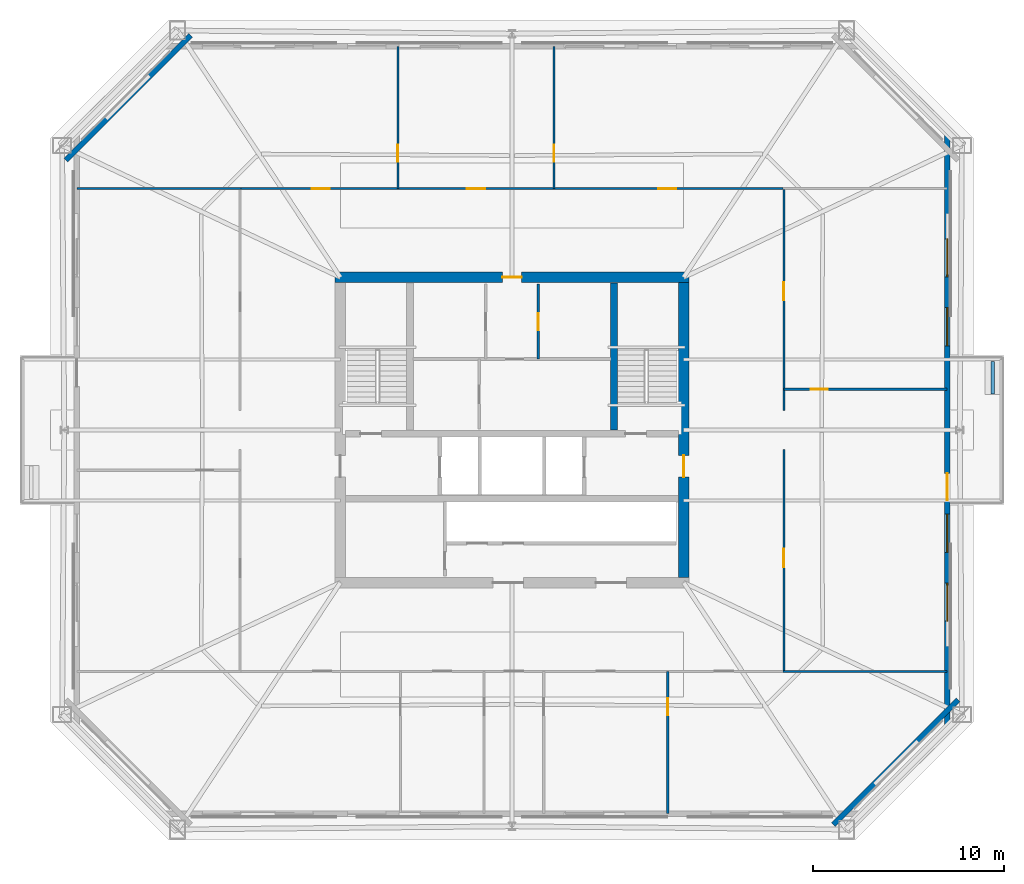
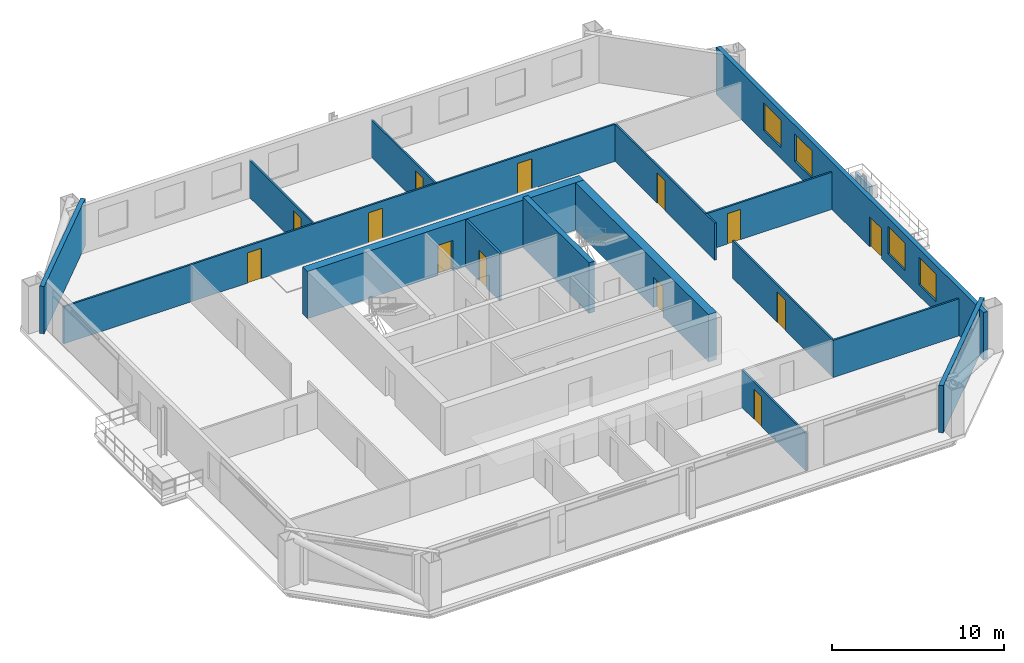
# One storey, part 4 of 8: 17 walls, 13 doors, 4 windows, 17 openings.
"""IFC4 building model written with IfcOpenShell, lengths in metres."""

from ifc_helpers import new_model, si_unit, direction, frame, frame_2d, origin, place, context, subcontext, project, spatial, rectangle, extrude, material, layer, layer_set, type_object, element, fill, save


model = new_model("IFC4")

# Units and contexts
model_context = context("Model", 3, precision=1e-05, world=origin(), true_north=direction((0.0, 1.0)))
body_context = subcontext(model_context, "Body", "Model", "MODEL_VIEW")
ifc_project = project(units=[si_unit("LENGTHUNIT", "METRE"), si_unit("AREAUNIT", "SQUARE_METRE"), si_unit("VOLUMEUNIT", "CUBIC_METRE"), si_unit("PLANEANGLEUNIT", "RADIAN"), si_unit("MASSUNIT", "GRAM", prefix="KILO")], contexts=[model_context])

# Site, building, storey
site_placement = place(None, origin())
site = spatial("IfcSite", under=ifc_project, at=site_placement, CompositionType="ELEMENT")
building_placement = place(site_placement, origin())
building = spatial("IfcBuilding", under=site, at=building_placement, Name="Caelvoria Tower", CompositionType="ELEMENT")
storey_placement = place(building_placement, frame((0.0, 0.0, 142.0)))
storey = spatial("IfcBuildingStorey", under=building, at=storey_placement, Name="L37", CompositionType="ELEMENT", Elevation=142.0)

# Walls
ifc_material_1 = material(Name="Bronze-Clad Concrete C40/50", Category="concrete")
ifc_layer_1 = layer(ifc_material_1, 0.179931640625, Name="Bronze-Clad Concrete C40/50")
ifc_layer_set_1 = layer_set([ifc_layer_1], Name="Architectural Planter Kerb Wall 180 - Bronze-Clad Concrete C40/50")
wall_type_1 = type_object("IfcWallType", Name="Architectural Planter Kerb Wall 180", PredefinedType="PARAPET", material=ifc_layer_set_1)
wall_1_placement = place(storey_placement, frame((71.199951171875, 33.89990234375, 0.0), z_axis=(0.0, 0.0, 1.0), x_axis=(0.0, 1.0, 0.0)))
element("IfcWall", 1, at=wall_1_placement, inside=storey, type_object=wall_type_1, Name="Tree Balcony Planter Kerb PLANTER TB-L37-E", PredefinedType="PARAPET", context=body_context, shape_type="SweptSolid", body=[
    extrude(rectangle(XDim=1.7001953125, YDim=0.179931640625, at=frame_2d((0.85009765625, 0.0))), origin(), (0.0, 0.0, 1.0), 0.8798828125),
])
ifc_material_2 = material(Name="Concrete C50/60", Category="concrete")
ifc_layer_2 = layer(ifc_material_2, 0.35009765625, Name="Concrete C50/60")
ifc_layer_set_2 = layer_set([ifc_layer_2], Name="Core Internal Shear Wall 350 - Concrete C50/60")
wall_type_2 = type_object("IfcWallType", Name="Core Internal Shear Wall 350", PredefinedType="SHEAR", material=ifc_layer_set_2)
wall_2_placement = place(storey_placement, frame((51.35009765625, 32.0, 0.0), z_axis=(0.0, 0.0, 1.0), x_axis=(0.0, 1.0, 0.0)))
element("IfcWall", 2, at=wall_2_placement, inside=storey, type_object=wall_type_2, Name="Interior Partition IW-L37-ST2W", PredefinedType="SHEAR", context=body_context, shape_type="SweptSolid", body=[
    extrude(rectangle(XDim=7.699951171875, YDim=0.35009765625, at=frame_2d((3.85009765625, 0.0))), origin(), (0.0, 0.0, 1.0), 3.60009765625),
])

# Wall, opening, door
ifc_material_3 = material(Name="Double Gypsum Board on Steel Stud", Category="steel")
ifc_layer_3 = layer(ifc_material_3, 0.14990234375, Name="Double Gypsum Board on Steel Stud")
ifc_layer_set_3 = layer_set([ifc_layer_3], Name="Core Service Acoustic Partition Wall 150 - Double Gypsum Board on Steel Stud")
wall_type_3 = type_object("IfcWallType", Name="Core Service Acoustic Partition Wall 150", PredefinedType="PARTITIONING", material=ifc_layer_set_3)
wall_3_placement = place(storey_placement, frame((47.3798828125, 35.719970703125, 0.0), z_axis=(0.0, 0.0, 1.0), x_axis=(0.0, 1.0, 0.0)))
wall_3 = element("IfcWall", 3, at=wall_3_placement, inside=storey, type_object=wall_type_3, Name="Interior Partition IW-L37-C0R", PredefinedType="PARTITIONING", context=body_context, shape_type="SweptSolid", body=[
    extrude(rectangle(XDim=3.929931640625, YDim=0.14990234375, at=frame_2d((1.96484375, 0.0))), origin(), (0.0, 0.0, 1.0), 3.360107421875),
])
opening_1_placement = place(wall_3_placement, frame((1.5, 0.0, 0.0)))
opening_1 = element("IfcOpeningElement", 4, at=opening_1_placement, cuts=wall_3, Name="Opening ID-06", PredefinedType="OPENING", context=body_context, shape_type="SweptSolid", body=[
    extrude(rectangle(XDim=0.89990234375, YDim=2.14990234375, at=frame_2d((0.449951171875, 1.074951171875))), frame((0.0, 0.0849609375, 0.0), z_axis=(0.0, -1.0, 0.0), x_axis=(1.0, 0.0, 0.0)), (0.0, 0.0, 1.0), 0.169921875),
])
ifc_material_4 = material(Name="Engineered Andean Oak Veneer Door", Category="wood")
door_type_1 = type_object("IfcDoorType", Name="Interior Timber Door 900x2150", OperationType="NOTDEFINED", PredefinedType="DOOR", material=ifc_material_4)
door_1_placement = place(opening_1_placement, origin())
door_1 = element("IfcDoor", 5, at=door_1_placement, inside=storey, type_object=door_type_1, Name="Interior Door DR-L37-C02", OperationType="SINGLE_SWING_RIGHT", OverallHeight=2.14990234375, OverallWidth=0.89990234375, PredefinedType="DOOR", context=body_context, shape_type="SweptSolid", body=[
    extrude(rectangle(XDim=0.89990234375, YDim=2.14990234375, at=frame_2d((0.449951171875, 1.074951171875))), frame((0.0, 0.02490234375, 0.0), z_axis=(0.0, -1.0, 0.0), x_axis=(1.0, 0.0, 0.0)), (0.0, 0.0, 1.0), 0.050048828125),
])
fill(opening_1, door_1)

# Wall
ifc_material_5 = material(Name="Precast Concrete C40/50 with Bronze Cladding", Category="concrete")
ifc_layer_4 = layer(ifc_material_5, 0.280029296875, Name="Precast Concrete C40/50 with Bronze Cladding")
ifc_layer_set_4 = layer_set([ifc_layer_4], Name="Exterior Precast Concrete C40/50 Bronze-Clad Facade Wall 280 - Precast Concrete C40/50 with Bronze Cladding")
wall_type_4 = type_object("IfcWallType", Name="Exterior Precast Concrete C40/50 Bronze-Clad Facade Wall 280", PredefinedType="STANDARD", material=ifc_layer_set_4)
wall_4_placement = place(storey_placement, frame((62.8544921875, 11.30615234375, 0.0), z_axis=(0.0, 0.0, 1.0), x_axis=(0.707106781187, 0.707106781187, 0.0)))
element("IfcWall", 6, at=wall_4_placement, inside=storey, type_object=wall_type_4, Name="Exterior Facade Wall L37-E1", PredefinedType="STANDARD", context=body_context, shape_type="SweptSolid", body=[
    extrude(rectangle(XDim=9.248046875, YDim=0.280029296875, at=frame_2d((4.6240234375, 0.0))), origin(), (0.0, 0.0, 1.0), 3.360107421875),
])

# Wall, openings, windows, door
wall_5_placement = place(storey_placement, frame((68.820068359375, 16.4599609375, 0.0), z_axis=(0.0, 0.0, 1.0), x_axis=(0.0, 1.0, 0.0)))
wall_5 = element("IfcWall", 7, at=wall_5_placement, inside=storey, type_object=wall_type_4, Name="Exterior Facade Wall L37-E2", PredefinedType="STANDARD", context=body_context, shape_type="SweptSolid", body=[
    extrude(rectangle(XDim=31.080078125, YDim=0.280029296875, at=frame_2d((15.5400390625, 0.0))), origin(), (0.0, 0.0, 1.0), 3.360107421875),
])
opening_2_placement = place(wall_5_placement, frame((11.860107421875, 0.0, 0.0)))
opening_2 = element("IfcOpeningElement", 8, at=opening_2_placement, cuts=wall_5, Name="Opening ED-04", PredefinedType="OPENING", context=body_context, shape_type="SweptSolid", body=[
    extrude(rectangle(XDim=1.39990234375, YDim=2.14990234375, at=frame_2d((0.699951171875, 1.074951171875))), frame((0.0, 0.14990234375, 0.0), z_axis=(0.0, -1.0, 0.0), x_axis=(1.0, 0.0, 0.0)), (0.0, 0.0, 1.0), 0.300048828125),
])
opening_3_placement = place(wall_5_placement, frame((5.514892578125, 0.0, 0.800048828125)))
opening_3 = element("IfcOpeningElement", 9, at=opening_3_placement, cuts=wall_5, Name="Opening WN-01", PredefinedType="OPENING", context=body_context, shape_type="SweptSolid", body=[
    extrude(rectangle(XDim=2.0, YDim=1.949951171875, at=frame_2d((1.0, 0.97509765625))), frame((0.0, 0.14990234375, 0.0), z_axis=(0.0, -1.0, 0.0), x_axis=(1.0, 0.0, 0.0)), (0.0, 0.0, 1.0), 0.300048828125),
])
opening_4_placement = place(wall_5_placement, frame((9.125, 0.0, 0.800048828125)))
opening_4 = element("IfcOpeningElement", 10, at=opening_4_placement, cuts=wall_5, Name="Opening WN-01", PredefinedType="OPENING", context=body_context, shape_type="SweptSolid", body=[
    extrude(rectangle(XDim=2.0, YDim=1.949951171875, at=frame_2d((1.0, 0.97509765625))), frame((0.0, 0.14990234375, 0.0), z_axis=(0.0, -1.0, 0.0), x_axis=(1.0, 0.0, 0.0)), (0.0, 0.0, 1.0), 0.300048828125),
])
opening_5_placement = place(wall_5_placement, frame((19.955078125, 0.0, 0.800048828125)))
opening_5 = element("IfcOpeningElement", 11, at=opening_5_placement, cuts=wall_5, Name="Opening WN-01", PredefinedType="OPENING", context=body_context, shape_type="SweptSolid", body=[
    extrude(rectangle(XDim=2.0, YDim=1.949951171875, at=frame_2d((1.0, 0.97509765625))), frame((0.0, 0.14990234375, 0.0), z_axis=(0.0, -1.0, 0.0), x_axis=(1.0, 0.0, 0.0)), (0.0, 0.0, 1.0), 0.300048828125),
])
opening_6_placement = place(wall_5_placement, frame((23.56494140625, 0.0, 0.800048828125)))
opening_6 = element("IfcOpeningElement", 12, at=opening_6_placement, cuts=wall_5, Name="Opening WN-01", PredefinedType="OPENING", context=body_context, shape_type="SweptSolid", body=[
    extrude(rectangle(XDim=2.0, YDim=1.949951171875, at=frame_2d((1.0, 0.97509765625))), frame((0.0, 0.14990234375, 0.0), z_axis=(0.0, -1.0, 0.0), x_axis=(1.0, 0.0, 0.0)), (0.0, 0.0, 1.0), 0.300048828125),
])
ifc_material_6 = material(Name="Low-E Tinted Glass in Bronze Aluminium Frame", Category="aluminium")
window_type = type_object("IfcWindowType", Name="Tower Office Vision Window 2000x1950", PartitioningType="SINGLE_PANEL", PredefinedType="WINDOW", material=ifc_material_6)
window_1_placement = place(opening_3_placement, origin())
window_1 = element("IfcWindow", 13, at=window_1_placement, inside=storey, type_object=window_type, Name="Facade Window L37-E2-01", OverallHeight=1.949951171875, OverallWidth=2.0, PartitioningType="SINGLE_PANEL", PredefinedType="WINDOW", context=body_context, shape_type="SweptSolid", body=[
    extrude(rectangle(XDim=2.0, YDim=1.949951171875, at=frame_2d((1.0, 0.97509765625))), frame((0.0, 0.030029296875, 0.0), z_axis=(0.0, -1.0, 0.0), x_axis=(1.0, 0.0, 0.0)), (0.0, 0.0, 1.0), 0.06005859375),
])
fill(opening_3, window_1)
window_2_placement = place(opening_4_placement, origin())
window_2 = element("IfcWindow", 14, at=window_2_placement, inside=storey, type_object=window_type, Name="Facade Window L37-E2-02", OverallHeight=1.949951171875, OverallWidth=2.0, PartitioningType="SINGLE_PANEL", PredefinedType="WINDOW", context=body_context, shape_type="SweptSolid", body=[
    extrude(rectangle(XDim=2.0, YDim=1.949951171875, at=frame_2d((1.0, 0.97509765625))), frame((0.0, 0.030029296875, 0.0), z_axis=(0.0, -1.0, 0.0), x_axis=(1.0, 0.0, 0.0)), (0.0, 0.0, 1.0), 0.06005859375),
])
fill(opening_4, window_2)
window_3_placement = place(opening_5_placement, origin())
window_3 = element("IfcWindow", 15, at=window_3_placement, inside=storey, type_object=window_type, Name="Facade Window L37-E2-05", OverallHeight=1.949951171875, OverallWidth=2.0, PartitioningType="SINGLE_PANEL", PredefinedType="WINDOW", context=body_context, shape_type="SweptSolid", body=[
    extrude(rectangle(XDim=2.0, YDim=1.949951171875, at=frame_2d((1.0, 0.97509765625))), frame((0.0, 0.030029296875, 0.0), z_axis=(0.0, -1.0, 0.0), x_axis=(1.0, 0.0, 0.0)), (0.0, 0.0, 1.0), 0.06005859375),
])
fill(opening_5, window_3)
window_4_placement = place(opening_6_placement, origin())
window_4 = element("IfcWindow", 16, at=window_4_placement, inside=storey, type_object=window_type, Name="Facade Window L37-E2-06", OverallHeight=1.949951171875, OverallWidth=2.0, PartitioningType="SINGLE_PANEL", PredefinedType="WINDOW", context=body_context, shape_type="SweptSolid", body=[
    extrude(rectangle(XDim=2.0, YDim=1.949951171875, at=frame_2d((1.0, 0.97509765625))), frame((0.0, 0.030029296875, 0.0), z_axis=(0.0, -1.0, 0.0), x_axis=(1.0, 0.0, 0.0)), (0.0, 0.0, 1.0), 0.06005859375),
])
fill(opening_6, window_4)
ifc_material_7 = material(Name="Anodised Bronze Aluminium and Laminated Glass", Category="aluminium")
door_type_2 = type_object("IfcDoorType", Name="Tree Balcony Glazed Door 1400x2150", OperationType="NOTDEFINED", PredefinedType="DOOR", material=ifc_material_7)
door_2_placement = place(opening_2_placement, origin())
door_2 = element("IfcDoor", 17, at=door_2_placement, inside=storey, type_object=door_type_2, Name="Tree Balcony Door L37-E", OperationType="SINGLE_SWING_RIGHT", OverallHeight=2.14990234375, OverallWidth=1.39990234375, PredefinedType="DOOR", context=body_context, shape_type="SweptSolid", body=[
    extrude(rectangle(XDim=1.39990234375, YDim=2.14990234375, at=frame_2d((0.699951171875, 1.074951171875))), frame((0.0, 0.02490234375, 0.0), z_axis=(0.0, -1.0, 0.0), x_axis=(1.0, 0.0, 0.0)), (0.0, 0.0, 1.0), 0.050048828125),
])
fill(opening_2, door_2)

# Wall
wall_6_placement = place(storey_placement, frame((29.1455078125, 52.69384765625, 0.0), z_axis=(0.0, 0.0, 1.0), x_axis=(-0.707106781187, -0.707106781187, 0.0)))
element("IfcWall", 18, at=wall_6_placement, inside=storey, type_object=wall_type_4, Name="Exterior Facade Wall L37-E5", PredefinedType="STANDARD", context=body_context, shape_type="SweptSolid", body=[
    extrude(rectangle(XDim=9.248046875, YDim=0.280029296875, at=frame_2d((4.6240234375, 0.0))), origin(), (0.0, 0.0, 1.0), 3.360107421875),
])

# Wall, opening, door
ifc_material_8 = material(Name="Concrete C55/67", Category="concrete")
ifc_layer_5 = layer(ifc_material_8, 0.550048828125, Name="Concrete C55/67")
ifc_layer_set_5 = layer_set([ifc_layer_5], Name="Mid Core Shear Wall 550 - Concrete C55/67")
wall_type_5 = type_object("IfcWallType", Name="Mid Core Shear Wall 550", PredefinedType="SHEAR", material=ifc_layer_set_5)
wall_7_placement = place(storey_placement, frame((36.72509765625, 40.0, 0.0), z_axis=(0.0, 0.0, 1.0), x_axis=(1.0, 0.0, 0.0)))
wall_7 = element("IfcWall", 19, at=wall_7_placement, inside=storey, type_object=wall_type_5, Name="Core Shear Wall L37 N", PredefinedType="SHEAR", context=body_context, shape_type="SweptSolid", body=[
    extrude(rectangle(XDim=18.5498046875, YDim=0.550048828125, at=frame_2d((9.27490234375, 0.0))), origin(), (0.0, 0.0, 1.0), 3.360107421875),
])
opening_7_placement = place(wall_7_placement, frame((8.77490234375, 0.0, 0.0)))
opening_7 = element("IfcOpeningElement", 20, at=opening_7_placement, cuts=wall_7, Name="Opening ID-03", PredefinedType="OPENING", context=body_context, shape_type="SweptSolid", body=[
    extrude(rectangle(XDim=1.0, YDim=2.14990234375, at=frame_2d((0.5, 1.074951171875))), frame((0.0, 0.284912109375, 0.0), z_axis=(0.0, -1.0, 0.0), x_axis=(1.0, 0.0, 0.0)), (0.0, 0.0, 1.0), 0.570068359375),
])
ifc_material_9 = material(Name="Painted Hollow Steel Fire Door", Category="steel")
door_type_3 = type_object("IfcDoorType", Name="Fire Door FD60S 1000x2150", OperationType="NOTDEFINED", PredefinedType="DOOR", material=ifc_material_9)
door_3_placement = place(opening_7_placement, origin())
door_3 = element("IfcDoor", 21, at=door_3_placement, inside=storey, type_object=door_type_3, Name="Core Door DR-L37-WC-MAIN", OperationType="SINGLE_SWING_RIGHT", OverallHeight=2.14990234375, OverallWidth=1.0, PredefinedType="DOOR", context=body_context, shape_type="SweptSolid", body=[
    extrude(rectangle(XDim=1.0, YDim=2.14990234375, at=frame_2d((0.5, 1.074951171875))), frame((0.0, 0.02490234375, 0.0), z_axis=(0.0, -1.0, 0.0), x_axis=(1.0, 0.0, 0.0)), (0.0, 0.0, 1.0), 0.050048828125),
])
fill(opening_7, door_3)

wall_8_placement = place(storey_placement, frame((55.0, 24.27490234375, 0.0), z_axis=(0.0, 0.0, 1.0), x_axis=(0.0, 1.0, 0.0)))
wall_8 = element("IfcWall", 22, at=wall_8_placement, inside=storey, type_object=wall_type_5, Name="Core Shear Wall L37 E", PredefinedType="SHEAR", context=body_context, shape_type="SweptSolid", body=[
    extrude(rectangle(XDim=15.4501953125, YDim=0.550048828125, at=frame_2d((7.72509765625, 0.0))), origin(), (0.0, 0.0, 1.0), 3.360107421875),
])
opening_8_placement = place(wall_8_placement, frame((5.25, 0.0, 0.0)))
opening_8 = element("IfcOpeningElement", 23, at=opening_8_placement, cuts=wall_8, Name="Opening ID-02", PredefinedType="OPENING", context=body_context, shape_type="SweptSolid", body=[
    extrude(rectangle(XDim=1.14990234375, YDim=2.14990234375, at=frame_2d((0.574951171875, 1.074951171875))), frame((0.0, 0.284912109375, 0.0), z_axis=(0.0, -1.0, 0.0), x_axis=(1.0, 0.0, 0.0)), (0.0, 0.0, 1.0), 0.570068359375),
])
door_type_4 = type_object("IfcDoorType", Name="Fire Door FD60S 1150x2150", OperationType="NOTDEFINED", PredefinedType="DOOR", material=ifc_material_9)
door_4_placement = place(opening_8_placement, origin())
door_4 = element("IfcDoor", 24, at=door_4_placement, inside=storey, type_object=door_type_4, Name="Core Door DR-L37-FFLE-OUT", OperationType="SINGLE_SWING_RIGHT", OverallHeight=2.14990234375, OverallWidth=1.14990234375, PredefinedType="DOOR", context=body_context, shape_type="SweptSolid", body=[
    extrude(rectangle(XDim=1.14990234375, YDim=2.14990234375, at=frame_2d((0.574951171875, 1.074951171875))), frame((0.0, 0.02490234375, 0.0), z_axis=(0.0, -1.0, 0.0), x_axis=(1.0, 0.0, 0.0)), (0.0, 0.0, 1.0), 0.050048828125),
])
fill(opening_8, door_4)

ifc_material_10 = material(Name="Acoustic Gypsum Board on Light-Gauge Stud", Category="gypsum")
ifc_layer_6 = layer(ifc_material_10, 0.1201171875, Name="Acoustic Gypsum Board on Light-Gauge Stud")
ifc_layer_set_6 = layer_set([ifc_layer_6], Name="Tenant Suite Acoustic Partition Wall 120 - Acoustic Gypsum Board on Light-Gauge Stud")
wall_type_6 = type_object("IfcWallType", Name="Tenant Suite Acoustic Partition Wall 120", PredefinedType="PARTITIONING", material=ifc_layer_set_6)
wall_9_placement = place(storey_placement, frame((54.174560546875, 19.340087890625, 0.0), z_axis=(0.0, 0.0, 1.0), x_axis=(0.0, -1.0, 0.0)))
wall_9 = element("IfcWall", 25, at=wall_9_placement, inside=storey, type_object=wall_type_6, Name="Interior Partition IW-L37-SD-03-0", PredefinedType="PARTITIONING", context=body_context, shape_type="SweptSolid", body=[
    extrude(rectangle(XDim=7.460205078125, YDim=0.1201171875, at=frame_2d((3.72998046875, 0.0))), origin(), (0.0, 0.0, 1.0), 2.639892578125),
])
opening_9_placement = place(wall_9_placement, frame((1.39990234375, 0.0, 0.0)))
opening_9 = element("IfcOpeningElement", 26, at=opening_9_placement, cuts=wall_9, Name="Opening ID-06", PredefinedType="OPENING", context=body_context, shape_type="SweptSolid", body=[
    extrude(rectangle(XDim=0.89990234375, YDim=2.14990234375, at=frame_2d((0.449951171875, 1.074951171875))), frame((0.0, 0.070068359375, 0.0), z_axis=(0.0, -1.0, 0.0), x_axis=(1.0, 0.0, 0.0)), (0.0, 0.0, 1.0), 0.14013671875),
])
door_5_placement = place(opening_9_placement, origin())
door_5 = element("IfcDoor", 27, at=door_5_placement, inside=storey, type_object=door_type_1, Name="Interior Door DR-L37-SM-03-0", OperationType="SINGLE_SWING_LEFT", OverallHeight=2.14990234375, OverallWidth=0.89990234375, PredefinedType="DOOR", context=body_context, shape_type="SweptSolid", body=[
    extrude(rectangle(XDim=0.89990234375, YDim=2.14990234375, at=frame_2d((0.449951171875, 1.074951171875))), frame((0.0, 0.02490234375, 0.0), z_axis=(0.0, -1.0, 0.0), x_axis=(1.0, 0.0, 0.0)), (0.0, 0.0, 1.0), 0.050048828125),
])
fill(opening_9, door_5)

wall_10_placement = place(storey_placement, frame((40.019287109375, 44.659912109375, 0.0), z_axis=(0.0, 0.0, 1.0), x_axis=(0.0, 1.0, 0.0)))
wall_10 = element("IfcWall", 28, at=wall_10_placement, inside=storey, type_object=wall_type_6, Name="Interior Partition IW-L37-ND-00-0", PredefinedType="PARTITIONING", context=body_context, shape_type="SweptSolid", body=[
    extrude(rectangle(XDim=7.460205078125, YDim=0.1201171875, at=frame_2d((3.72998046875, 0.0))), origin(), (0.0, 0.0, 1.0), 2.639892578125),
])
opening_10_placement = place(wall_10_placement, frame((1.39990234375, 0.0, 0.0)))
opening_10 = element("IfcOpeningElement", 29, at=opening_10_placement, cuts=wall_10, Name="Opening ID-06", PredefinedType="OPENING", context=body_context, shape_type="SweptSolid", body=[
    extrude(rectangle(XDim=0.89990234375, YDim=2.14990234375, at=frame_2d((0.449951171875, 1.074951171875))), frame((0.0, 0.070068359375, 0.0), z_axis=(0.0, -1.0, 0.0), x_axis=(1.0, 0.0, 0.0)), (0.0, 0.0, 1.0), 0.14013671875),
])
door_6_placement = place(opening_10_placement, origin())
door_6 = element("IfcDoor", 30, at=door_6_placement, inside=storey, type_object=door_type_1, Name="Interior Door DR-L37-NM-00-0", OperationType="SINGLE_SWING_RIGHT", OverallHeight=2.14990234375, OverallWidth=0.89990234375, PredefinedType="DOOR", context=body_context, shape_type="SweptSolid", body=[
    extrude(rectangle(XDim=0.89990234375, YDim=2.14990234375, at=frame_2d((0.449951171875, 1.074951171875))), frame((0.0, 0.02490234375, 0.0), z_axis=(0.0, -1.0, 0.0), x_axis=(1.0, 0.0, 0.0)), (0.0, 0.0, 1.0), 0.050048828125),
])
fill(opening_10, door_6)

wall_11_placement = place(storey_placement, frame((48.202392578125, 44.659912109375, 0.0), z_axis=(0.0, 0.0, 1.0), x_axis=(0.0, 1.0, 0.0)))
wall_11 = element("IfcWall", 31, at=wall_11_placement, inside=storey, type_object=wall_type_6, Name="Interior Partition IW-L37-ND-01-0", PredefinedType="PARTITIONING", context=body_context, shape_type="SweptSolid", body=[
    extrude(rectangle(XDim=7.460205078125, YDim=0.1201171875, at=frame_2d((3.72998046875, 0.0))), origin(), (0.0, 0.0, 1.0), 2.639892578125),
])
opening_11_placement = place(wall_11_placement, frame((1.39990234375, 0.0, 0.0)))
opening_11 = element("IfcOpeningElement", 32, at=opening_11_placement, cuts=wall_11, Name="Opening ID-06", PredefinedType="OPENING", context=body_context, shape_type="SweptSolid", body=[
    extrude(rectangle(XDim=0.89990234375, YDim=2.14990234375, at=frame_2d((0.449951171875, 1.074951171875))), frame((0.0, 0.070068359375, 0.0), z_axis=(0.0, -1.0, 0.0), x_axis=(1.0, 0.0, 0.0)), (0.0, 0.0, 1.0), 0.14013671875),
])
door_7_placement = place(opening_11_placement, origin())
door_7 = element("IfcDoor", 33, at=door_7_placement, inside=storey, type_object=door_type_1, Name="Interior Door DR-L37-NM-01-0", OperationType="SINGLE_SWING_LEFT", OverallHeight=2.14990234375, OverallWidth=0.89990234375, PredefinedType="DOOR", context=body_context, shape_type="SweptSolid", body=[
    extrude(rectangle(XDim=0.89990234375, YDim=2.14990234375, at=frame_2d((0.449951171875, 1.074951171875))), frame((0.0, 0.02490234375, 0.0), z_axis=(0.0, -1.0, 0.0), x_axis=(1.0, 0.0, 0.0)), (0.0, 0.0, 1.0), 0.050048828125),
])
fill(opening_11, door_7)

# Wall, openings, doors
wall_12_placement = place(storey_placement, frame((31.800048828125, 44.659912109375, 0.0), z_axis=(0.0, 0.0, 1.0), x_axis=(1.0, 0.0, 0.0)))
wall_12 = element("IfcWall", 34, at=wall_12_placement, inside=storey, type_object=wall_type_6, Name="Interior Partition IW-L37-NCW-0", PredefinedType="PARTITIONING", context=body_context, shape_type="SweptSolid", body=[
    extrude(rectangle(XDim=28.39990234375, YDim=0.1201171875, at=frame_2d((14.199951171875, 0.0))), origin(), (0.0, 0.0, 1.0), 2.639892578125),
])
opening_12_placement = place(wall_12_placement, frame((3.70458984375, 0.0, 0.0)))
opening_12 = element("IfcOpeningElement", 35, at=opening_12_placement, cuts=wall_12, Name="Opening ID-05", PredefinedType="OPENING", context=body_context, shape_type="SweptSolid", body=[
    extrude(rectangle(XDim=0.949951171875, YDim=2.14990234375, at=frame_2d((0.47509765625, 1.074951171875))), frame((0.0, 0.070068359375, 0.0), z_axis=(0.0, -1.0, 0.0), x_axis=(1.0, 0.0, 0.0)), (0.0, 0.0, 1.0), 0.14013671875),
])
opening_13_placement = place(wall_12_placement, frame((11.8359375, 0.0, 0.0)))
opening_13 = element("IfcOpeningElement", 36, at=opening_13_placement, cuts=wall_12, Name="Opening ID-05", PredefinedType="OPENING", context=body_context, shape_type="SweptSolid", body=[
    extrude(rectangle(XDim=0.949951171875, YDim=2.14990234375, at=frame_2d((0.47509765625, 1.074951171875))), frame((0.0, 0.070068359375, 0.0), z_axis=(0.0, -1.0, 0.0), x_axis=(1.0, 0.0, 0.0)), (0.0, 0.0, 1.0), 0.14013671875),
])
opening_14_placement = place(wall_12_placement, frame((21.856201171875, 0.0, 0.0)))
opening_14 = element("IfcOpeningElement", 37, at=opening_14_placement, cuts=wall_12, Name="Opening ID-05", PredefinedType="OPENING", context=body_context, shape_type="SweptSolid", body=[
    extrude(rectangle(XDim=0.949951171875, YDim=2.14990234375, at=frame_2d((0.47509765625, 1.074951171875))), frame((0.0, 0.070068359375, 0.0), z_axis=(0.0, -1.0, 0.0), x_axis=(1.0, 0.0, 0.0)), (0.0, 0.0, 1.0), 0.14013671875),
])
door_type_5 = type_object("IfcDoorType", Name="Interior Timber Door 950x2150", OperationType="NOTDEFINED", PredefinedType="DOOR", material=ifc_material_4)
door_8_placement = place(opening_12_placement, origin())
door_8 = element("IfcDoor", 38, at=door_8_placement, inside=storey, type_object=door_type_5, Name="Interior Door DR-L37-NC-00-0", OperationType="SINGLE_SWING_RIGHT", OverallHeight=2.14990234375, OverallWidth=0.949951171875, PredefinedType="DOOR", context=body_context, shape_type="SweptSolid", body=[
    extrude(rectangle(XDim=0.949951171875, YDim=2.14990234375, at=frame_2d((0.47509765625, 1.074951171875))), frame((0.0, 0.02490234375, 0.0), z_axis=(0.0, -1.0, 0.0), x_axis=(1.0, 0.0, 0.0)), (0.0, 0.0, 1.0), 0.050048828125),
])
fill(opening_12, door_8)
door_9_placement = place(opening_13_placement, origin())
door_9 = element("IfcDoor", 39, at=door_9_placement, inside=storey, type_object=door_type_5, Name="Interior Door DR-L37-NC-01-0", OperationType="SINGLE_SWING_LEFT", OverallHeight=2.14990234375, OverallWidth=0.949951171875, PredefinedType="DOOR", context=body_context, shape_type="SweptSolid", body=[
    extrude(rectangle(XDim=0.949951171875, YDim=2.14990234375, at=frame_2d((0.47509765625, 1.074951171875))), frame((0.0, 0.02490234375, 0.0), z_axis=(0.0, -1.0, 0.0), x_axis=(1.0, 0.0, 0.0)), (0.0, 0.0, 1.0), 0.050048828125),
])
fill(opening_13, door_9)
door_10_placement = place(opening_14_placement, origin())
door_10 = element("IfcDoor", 40, at=door_10_placement, inside=storey, type_object=door_type_5, Name="Interior Door DR-L37-NC-02-0", OperationType="SINGLE_SWING_RIGHT", OverallHeight=2.14990234375, OverallWidth=0.949951171875, PredefinedType="DOOR", context=body_context, shape_type="SweptSolid", body=[
    extrude(rectangle(XDim=0.949951171875, YDim=2.14990234375, at=frame_2d((0.47509765625, 1.074951171875))), frame((0.0, 0.02490234375, 0.0), z_axis=(0.0, -1.0, 0.0), x_axis=(1.0, 0.0, 0.0)), (0.0, 0.0, 1.0), 0.050048828125),
])
fill(opening_14, door_10)

# Wall, opening, door
wall_13_placement = place(storey_placement, frame((60.260009765625, 34.14111328125, 0.0), z_axis=(0.0, 0.0, 1.0), x_axis=(1.0, 0.0, 0.0)))
wall_13 = element("IfcWall", 41, at=wall_13_placement, inside=storey, type_object=wall_type_6, Name="Interior Partition IW-L37-ED-00-0", PredefinedType="PARTITIONING", context=body_context, shape_type="SweptSolid", body=[
    extrude(rectangle(XDim=8.56005859375, YDim=0.1201171875, at=frame_2d((4.280029296875, 0.0))), origin(), (0.0, 0.0, 1.0), 2.639892578125),
])
opening_15_placement = place(wall_13_placement, frame((1.39990234375, 0.0, 0.0)))
opening_15 = element("IfcOpeningElement", 42, at=opening_15_placement, cuts=wall_13, Name="Opening ID-06", PredefinedType="OPENING", context=body_context, shape_type="SweptSolid", body=[
    extrude(rectangle(XDim=0.89990234375, YDim=2.14990234375, at=frame_2d((0.449951171875, 1.074951171875))), frame((0.0, 0.070068359375, 0.0), z_axis=(0.0, -1.0, 0.0), x_axis=(1.0, 0.0, 0.0)), (0.0, 0.0, 1.0), 0.14013671875),
])
door_11_placement = place(opening_15_placement, origin())
door_11 = element("IfcDoor", 43, at=door_11_placement, inside=storey, type_object=door_type_1, Name="Interior Door DR-L37-EM-00-0", OperationType="SINGLE_SWING_RIGHT", OverallHeight=2.14990234375, OverallWidth=0.89990234375, PredefinedType="DOOR", context=body_context, shape_type="SweptSolid", body=[
    extrude(rectangle(XDim=0.89990234375, YDim=2.14990234375, at=frame_2d((0.449951171875, 1.074951171875))), frame((0.0, 0.02490234375, 0.0), z_axis=(0.0, -1.0, 0.0), x_axis=(1.0, 0.0, 0.0)), (0.0, 0.0, 1.0), 0.050048828125),
])
fill(opening_15, door_11)

wall_14_placement = place(storey_placement, frame((60.260009765625, 19.39990234375, 0.0), z_axis=(0.0, 0.0, 1.0), x_axis=(0.0, 1.0, 0.0)))
wall_14 = element("IfcWall", 44, at=wall_14_placement, inside=storey, type_object=wall_type_6, Name="Interior Partition IW-L37-ECW-0", PredefinedType="PARTITIONING", context=body_context, shape_type="SweptSolid", body=[
    extrude(rectangle(XDim=11.580078125, YDim=0.1201171875, at=frame_2d((5.7900390625, 0.0))), origin(), (0.0, 0.0, 1.0), 2.639892578125),
])
opening_16_placement = place(wall_14_placement, frame((5.4150390625, 0.0, 0.0)))
opening_16 = element("IfcOpeningElement", 45, at=opening_16_placement, cuts=wall_14, Name="Opening ID-05", PredefinedType="OPENING", context=body_context, shape_type="SweptSolid", body=[
    extrude(rectangle(XDim=0.949951171875, YDim=2.14990234375, at=frame_2d((0.47509765625, 1.074951171875))), frame((0.0, 0.070068359375, 0.0), z_axis=(0.0, -1.0, 0.0), x_axis=(1.0, 0.0, 0.0)), (0.0, 0.0, 1.0), 0.14013671875),
])
door_12_placement = place(opening_16_placement, origin())
door_12 = element("IfcDoor", 46, at=door_12_placement, inside=storey, type_object=door_type_5, Name="Interior Door DR-L37-EC-00-0", OperationType="SINGLE_SWING_RIGHT", OverallHeight=2.14990234375, OverallWidth=0.949951171875, PredefinedType="DOOR", context=body_context, shape_type="SweptSolid", body=[
    extrude(rectangle(XDim=0.949951171875, YDim=2.14990234375, at=frame_2d((0.47509765625, 1.074951171875))), frame((0.0, 0.02490234375, 0.0), z_axis=(0.0, -1.0, 0.0), x_axis=(1.0, 0.0, 0.0)), (0.0, 0.0, 1.0), 0.050048828125),
])
fill(opening_16, door_12)

wall_15_placement = place(storey_placement, frame((60.260009765625, 33.02001953125, 0.0), z_axis=(0.0, 0.0, 1.0), x_axis=(0.0, 1.0, 0.0)))
wall_15 = element("IfcWall", 47, at=wall_15_placement, inside=storey, type_object=wall_type_6, Name="Interior Partition IW-L37-ECW-1", PredefinedType="PARTITIONING", context=body_context, shape_type="SweptSolid", body=[
    extrude(rectangle(XDim=11.580078125, YDim=0.1201171875, at=frame_2d((5.7900390625, 0.0))), origin(), (0.0, 0.0, 1.0), 2.639892578125),
])
opening_17_placement = place(wall_15_placement, frame((5.775390625, 0.0, 0.0)))
opening_17 = element("IfcOpeningElement", 48, at=opening_17_placement, cuts=wall_15, Name="Opening ID-05", PredefinedType="OPENING", context=body_context, shape_type="SweptSolid", body=[
    extrude(rectangle(XDim=0.949951171875, YDim=2.14990234375, at=frame_2d((0.47509765625, 1.074951171875))), frame((0.0, 0.070068359375, 0.0), z_axis=(0.0, -1.0, 0.0), x_axis=(1.0, 0.0, 0.0)), (0.0, 0.0, 1.0), 0.14013671875),
])
door_13_placement = place(opening_17_placement, origin())
door_13 = element("IfcDoor", 49, at=door_13_placement, inside=storey, type_object=door_type_5, Name="Interior Door DR-L37-EC-01-0", OperationType="SINGLE_SWING_LEFT", OverallHeight=2.14990234375, OverallWidth=0.949951171875, PredefinedType="DOOR", context=body_context, shape_type="SweptSolid", body=[
    extrude(rectangle(XDim=0.949951171875, YDim=2.14990234375, at=frame_2d((0.47509765625, 1.074951171875))), frame((0.0, 0.02490234375, 0.0), z_axis=(0.0, -1.0, 0.0), x_axis=(1.0, 0.0, 0.0)), (0.0, 0.0, 1.0), 0.050048828125),
])
fill(opening_17, door_13)

# Walls
for number, where, z_axis, x_axis, name in (
    (50, (60.199951171875, 19.340087890625, 0.0), (0.0, 0.0, 1.0), (1.0, 0.0, 0.0), "Interior Partition IW-L37-BSE-0"),
    (51, (31.800048828125, 44.659912109375, 0.0), (0.0, 0.0, 1.0), (-1.0, 0.0, 0.0), "Interior Partition IW-L37-BNW-0"),
):
    element("IfcWall", number, at=place(storey_placement, frame(where, z_axis=z_axis, x_axis=x_axis)), inside=storey, type_object=wall_type_6, Name=name, PredefinedType="PARTITIONING", context=body_context, shape_type="SweptSolid", body=[
        extrude(rectangle(XDim=8.6201171875, YDim=0.1201171875, at=frame_2d((4.31005859375, 0.0))), origin(), (0.0, 0.0, 1.0), 2.639892578125),
    ])

save(model, "model.ifc")
